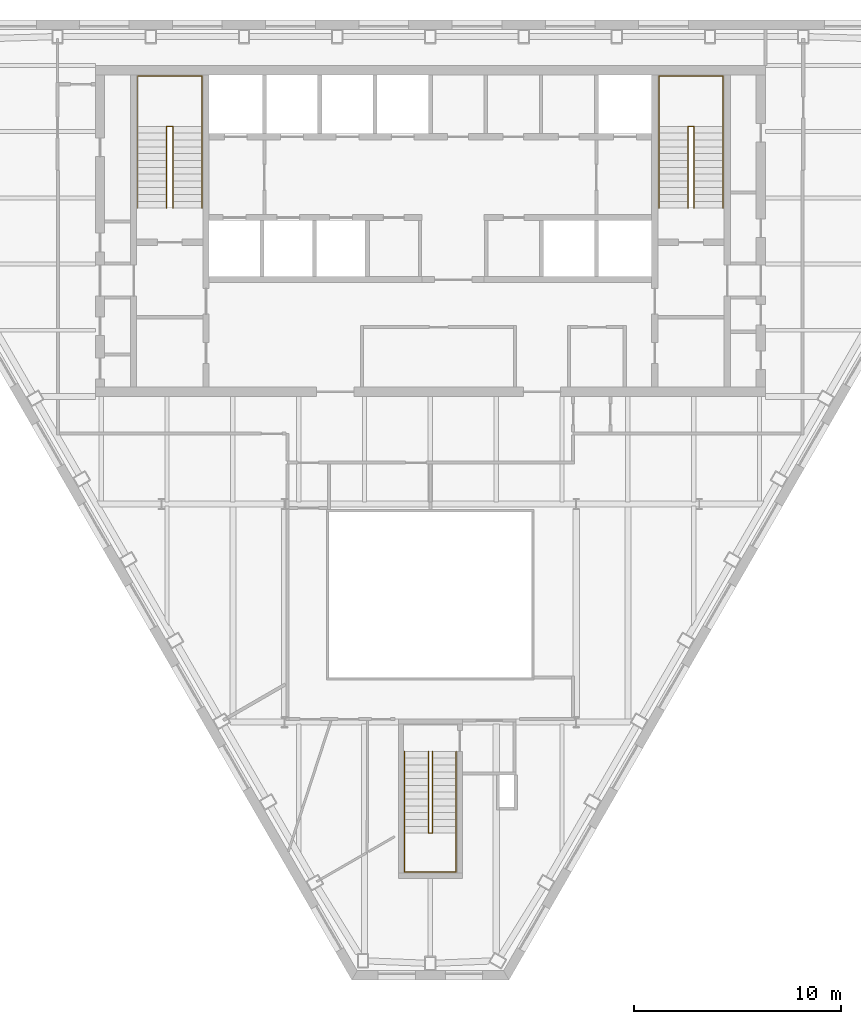
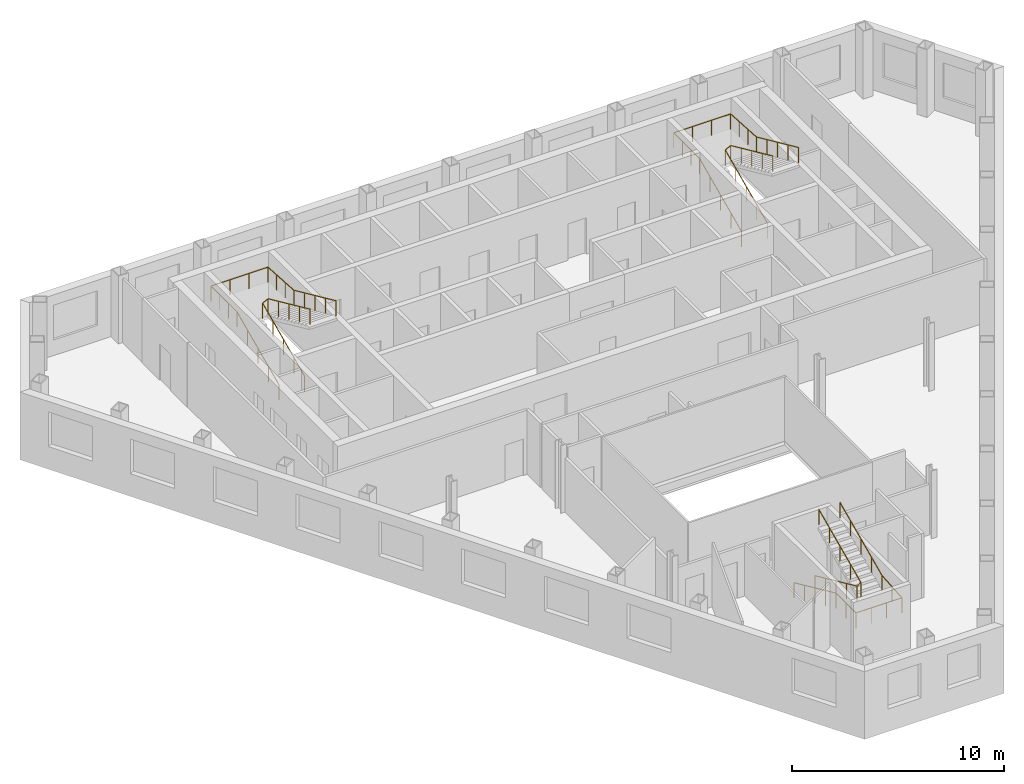
# One storey, part 10 of 10: 6 railings.
"""IFC4 building model written with IfcOpenShell, lengths in metres."""

from ifc_helpers import new_model, si_unit, direction, frame, origin, origin_2d, place, context, subcontext, project, spatial, circle, extrude, material, type_object, element, save


model = new_model("IFC4")

# Units and contexts
model_context = context("Model", 3, precision=1e-05, world=origin(), true_north=direction((0.0, 1.0)))
body_context = subcontext(model_context, "Body", "Model", "MODEL_VIEW")
ifc_project = project(units=[si_unit("LENGTHUNIT", "METRE"), si_unit("AREAUNIT", "SQUARE_METRE"), si_unit("VOLUMEUNIT", "CUBIC_METRE"), si_unit("PLANEANGLEUNIT", "RADIAN"), si_unit("MASSUNIT", "GRAM", prefix="KILO")], contexts=[model_context])

# Site, building, storey
site_placement = place(None, origin())
site = spatial("IfcSite", under=ifc_project, at=site_placement, CompositionType="ELEMENT")
building_placement = place(site_placement, origin())
building = spatial("IfcBuilding", under=site, at=building_placement, Name="Njiva Tower", CompositionType="ELEMENT")
storey_placement = place(building_placement, frame((0.0, 0.0, 196.5)))
storey = spatial("IfcBuildingStorey", under=building, at=storey_placement, Name="L43", CompositionType="ELEMENT", Elevation=196.5)

# Railings
ifc_material = material(Name="Stainless steel", Category="steel")
railing_type = type_object("IfcRailingType", Name="RL1 Stair handrail 900", PredefinedType="HANDRAIL", material=ifc_material)
railing_1_placement = place(storey_placement, frame((-14.15, 11.1, 0.15)))
element("IfcRailing", 1, at=railing_1_placement, inside=storey, type_object=railing_type, Name="Stair A handrail", PredefinedType="HANDRAIL", context=body_context, shape_type="SweptSolid", body=[
    extrude(circle(Radius=0.024, at=origin_2d()), frame((0.0, 0.0, 0.876), z_axis=(0.0, 0.910366477463, 0.413802944301), x_axis=(-1.0, 0.0, 0.0)), (0.0, 0.0, 1.0), 4.3499),
    extrude(circle(Radius=0.024, at=origin_2d()), frame((0.0, 3.96, 2.676), z_axis=(0.0, 1.0, 0.0), x_axis=(-1.0, 0.0, 0.0)), (0.0, 0.0, 1.0), 2.44),
    extrude(circle(Radius=0.024, at=origin_2d()), frame((0.0, 6.4, 2.676), z_axis=(1.0, 0.0, 0.0), x_axis=(0.0, 1.0, 0.0)), (0.0, 0.0, 1.0), 3.1),
    extrude(circle(Radius=0.024, at=origin_2d()), frame((3.1, 6.4, 2.676), z_axis=(0.0, -0.998115726137, 0.061359573328), x_axis=(1.0, 0.0, 0.0)), (0.0, 0.0, 1.0), 2.4446),
    extrude(circle(Radius=0.024, at=origin_2d()), frame((3.1, 3.96, 2.826), z_axis=(0.0, -0.910366477463, 0.413802944301), x_axis=(1.0, 0.0, 0.0)), (0.0, 0.0, 1.0), 4.3499),
    extrude(circle(Radius=0.021, at=origin_2d()), origin(), (0.0, 0.0, 1.0), 0.852),
    extrude(circle(Radius=0.021, at=origin_2d()), frame((0.0, 0.99, 0.45)), (0.0, 0.0, 1.0), 0.852),
    extrude(circle(Radius=0.021, at=origin_2d()), frame((0.0, 1.98, 0.9)), (0.0, 0.0, 1.0), 0.852),
    extrude(circle(Radius=0.021, at=origin_2d()), frame((0.0, 2.97, 1.35)), (0.0, 0.0, 1.0), 0.852),
    extrude(circle(Radius=0.021, at=origin_2d()), frame((0.0, 3.96, 1.8)), (0.0, 0.0, 1.0), 0.852),
    extrude(circle(Radius=0.021, at=origin_2d()), frame((0.0, 4.7733, 1.8)), (0.0, 0.0, 1.0), 0.852),
    extrude(circle(Radius=0.021, at=origin_2d()), frame((0.0, 5.5867, 1.8)), (0.0, 0.0, 1.0), 0.852),
    extrude(circle(Radius=0.021, at=origin_2d()), frame((0.0, 6.4, 1.8)), (0.0, 0.0, 1.0), 0.852),
    extrude(circle(Radius=0.021, at=origin_2d()), frame((1.0333, 6.4, 1.8)), (0.0, 0.0, 1.0), 0.852),
    extrude(circle(Radius=0.021, at=origin_2d()), frame((2.0667, 6.4, 1.8)), (0.0, 0.0, 1.0), 0.852),
    extrude(circle(Radius=0.021, at=origin_2d()), frame((3.1, 6.4, 1.8)), (0.0, 0.0, 1.0), 0.852),
    extrude(circle(Radius=0.021, at=origin_2d()), frame((3.1, 5.5867, 1.85)), (0.0, 0.0, 1.0), 0.852),
    extrude(circle(Radius=0.021, at=origin_2d()), frame((3.1, 4.7733, 1.9)), (0.0, 0.0, 1.0), 0.852),
    extrude(circle(Radius=0.021, at=origin_2d()), frame((3.1, 3.96, 1.95)), (0.0, 0.0, 1.0), 0.852),
    extrude(circle(Radius=0.021, at=origin_2d()), frame((3.1, 2.97, 2.4)), (0.0, 0.0, 1.0), 0.852),
    extrude(circle(Radius=0.021, at=origin_2d()), frame((3.1, 1.98, 2.85)), (0.0, 0.0, 1.0), 0.852),
    extrude(circle(Radius=0.021, at=origin_2d()), frame((3.1, 0.99, 3.3)), (0.0, 0.0, 1.0), 0.852),
    extrude(circle(Radius=0.021, at=origin_2d()), frame((3.1, 0.0, 3.75)), (0.0, 0.0, 1.0), 0.852),
])
railing_2_placement = place(storey_placement, frame((-12.75, 11.1, 0.15)))
element("IfcRailing", 2, at=railing_2_placement, inside=storey, type_object=railing_type, Name="Stair A handrail", PredefinedType="HANDRAIL", context=body_context, shape_type="SweptSolid", body=[
    extrude(circle(Radius=0.024, at=origin_2d()), frame((0.0, 0.0, 0.876), z_axis=(0.0, 0.910366477463, 0.413802944301), x_axis=(-1.0, 0.0, 0.0)), (0.0, 0.0, 1.0), 4.3499),
    extrude(circle(Radius=0.024, at=origin_2d()), frame((0.0, 3.96, 2.676), z_axis=(0.894427191, 0.0, 0.4472135955), x_axis=(0.0, 1.0, 0.0)), (0.0, 0.0, 1.0), 0.3354),
    extrude(circle(Radius=0.024, at=origin_2d()), frame((0.3, 3.96, 2.826), z_axis=(0.0, -0.910366477463, 0.413802944301), x_axis=(1.0, 0.0, 0.0)), (0.0, 0.0, 1.0), 4.3499),
    extrude(circle(Radius=0.021, at=origin_2d()), origin(), (0.0, 0.0, 1.0), 0.852),
    extrude(circle(Radius=0.021, at=origin_2d()), frame((0.0, 0.99, 0.45)), (0.0, 0.0, 1.0), 0.852),
    extrude(circle(Radius=0.021, at=origin_2d()), frame((0.0, 1.98, 0.9)), (0.0, 0.0, 1.0), 0.852),
    extrude(circle(Radius=0.021, at=origin_2d()), frame((0.0, 2.97, 1.35)), (0.0, 0.0, 1.0), 0.852),
    extrude(circle(Radius=0.021, at=origin_2d()), frame((0.0, 3.96, 1.8)), (0.0, 0.0, 1.0), 0.852),
    extrude(circle(Radius=0.021, at=origin_2d()), frame((0.3, 3.96, 1.95)), (0.0, 0.0, 1.0), 0.852),
    extrude(circle(Radius=0.021, at=origin_2d()), frame((0.3, 2.97, 2.4)), (0.0, 0.0, 1.0), 0.852),
    extrude(circle(Radius=0.021, at=origin_2d()), frame((0.3, 1.98, 2.85)), (0.0, 0.0, 1.0), 0.852),
    extrude(circle(Radius=0.021, at=origin_2d()), frame((0.3, 0.99, 3.3)), (0.0, 0.0, 1.0), 0.852),
    extrude(circle(Radius=0.021, at=origin_2d()), frame((0.3, 0.0, 3.75)), (0.0, 0.0, 1.0), 0.852),
])
railing_3_placement = place(storey_placement, frame((11.05, 11.1, 0.15)))
element("IfcRailing", 3, at=railing_3_placement, inside=storey, type_object=railing_type, Name="Stair B handrail", PredefinedType="HANDRAIL", context=body_context, shape_type="SweptSolid", body=[
    extrude(circle(Radius=0.024, at=origin_2d()), frame((0.0, 0.0, 0.876), z_axis=(0.0, 0.910366477463, 0.413802944301), x_axis=(-1.0, 0.0, 0.0)), (0.0, 0.0, 1.0), 4.3499),
    extrude(circle(Radius=0.024, at=origin_2d()), frame((0.0, 3.96, 2.676), z_axis=(0.0, 1.0, 0.0), x_axis=(-1.0, 0.0, 0.0)), (0.0, 0.0, 1.0), 2.44),
    extrude(circle(Radius=0.024, at=origin_2d()), frame((0.0, 6.4, 2.676), z_axis=(1.0, 0.0, 0.0), x_axis=(0.0, 1.0, 0.0)), (0.0, 0.0, 1.0), 3.1),
    extrude(circle(Radius=0.024, at=origin_2d()), frame((3.1, 6.4, 2.676), z_axis=(0.0, -0.998115726137, 0.061359573328), x_axis=(1.0, 0.0, 0.0)), (0.0, 0.0, 1.0), 2.4446),
    extrude(circle(Radius=0.024, at=origin_2d()), frame((3.1, 3.96, 2.826), z_axis=(0.0, -0.910366477463, 0.413802944301), x_axis=(1.0, 0.0, 0.0)), (0.0, 0.0, 1.0), 4.3499),
    extrude(circle(Radius=0.021, at=origin_2d()), origin(), (0.0, 0.0, 1.0), 0.852),
    extrude(circle(Radius=0.021, at=origin_2d()), frame((0.0, 0.99, 0.45)), (0.0, 0.0, 1.0), 0.852),
    extrude(circle(Radius=0.021, at=origin_2d()), frame((0.0, 1.98, 0.9)), (0.0, 0.0, 1.0), 0.852),
    extrude(circle(Radius=0.021, at=origin_2d()), frame((0.0, 2.97, 1.35)), (0.0, 0.0, 1.0), 0.852),
    extrude(circle(Radius=0.021, at=origin_2d()), frame((0.0, 3.96, 1.8)), (0.0, 0.0, 1.0), 0.852),
    extrude(circle(Radius=0.021, at=origin_2d()), frame((0.0, 4.7733, 1.8)), (0.0, 0.0, 1.0), 0.852),
    extrude(circle(Radius=0.021, at=origin_2d()), frame((0.0, 5.5867, 1.8)), (0.0, 0.0, 1.0), 0.852),
    extrude(circle(Radius=0.021, at=origin_2d()), frame((0.0, 6.4, 1.8)), (0.0, 0.0, 1.0), 0.852),
    extrude(circle(Radius=0.021, at=origin_2d()), frame((1.0333, 6.4, 1.8)), (0.0, 0.0, 1.0), 0.852),
    extrude(circle(Radius=0.021, at=origin_2d()), frame((2.0667, 6.4, 1.8)), (0.0, 0.0, 1.0), 0.852),
    extrude(circle(Radius=0.021, at=origin_2d()), frame((3.1, 6.4, 1.8)), (0.0, 0.0, 1.0), 0.852),
    extrude(circle(Radius=0.021, at=origin_2d()), frame((3.1, 5.5867, 1.85)), (0.0, 0.0, 1.0), 0.852),
    extrude(circle(Radius=0.021, at=origin_2d()), frame((3.1, 4.7733, 1.9)), (0.0, 0.0, 1.0), 0.852),
    extrude(circle(Radius=0.021, at=origin_2d()), frame((3.1, 3.96, 1.95)), (0.0, 0.0, 1.0), 0.852),
    extrude(circle(Radius=0.021, at=origin_2d()), frame((3.1, 2.97, 2.4)), (0.0, 0.0, 1.0), 0.852),
    extrude(circle(Radius=0.021, at=origin_2d()), frame((3.1, 1.98, 2.85)), (0.0, 0.0, 1.0), 0.852),
    extrude(circle(Radius=0.021, at=origin_2d()), frame((3.1, 0.99, 3.3)), (0.0, 0.0, 1.0), 0.852),
    extrude(circle(Radius=0.021, at=origin_2d()), frame((3.1, 0.0, 3.75)), (0.0, 0.0, 1.0), 0.852),
])
railing_4_placement = place(storey_placement, frame((12.45, 11.1, 0.15)))
element("IfcRailing", 4, at=railing_4_placement, inside=storey, type_object=railing_type, Name="Stair B handrail", PredefinedType="HANDRAIL", context=body_context, shape_type="SweptSolid", body=[
    extrude(circle(Radius=0.024, at=origin_2d()), frame((0.0, 0.0, 0.876), z_axis=(0.0, 0.910366477463, 0.413802944301), x_axis=(-1.0, 0.0, 0.0)), (0.0, 0.0, 1.0), 4.3499),
    extrude(circle(Radius=0.024, at=origin_2d()), frame((0.0, 3.96, 2.676), z_axis=(0.894427191, 0.0, 0.4472135955), x_axis=(0.0, 1.0, 0.0)), (0.0, 0.0, 1.0), 0.3354),
    extrude(circle(Radius=0.024, at=origin_2d()), frame((0.3, 3.96, 2.826), z_axis=(0.0, -0.910366477463, 0.413802944301), x_axis=(1.0, 0.0, 0.0)), (0.0, 0.0, 1.0), 4.3499),
    extrude(circle(Radius=0.021, at=origin_2d()), origin(), (0.0, 0.0, 1.0), 0.852),
    extrude(circle(Radius=0.021, at=origin_2d()), frame((0.0, 0.99, 0.45)), (0.0, 0.0, 1.0), 0.852),
    extrude(circle(Radius=0.021, at=origin_2d()), frame((0.0, 1.98, 0.9)), (0.0, 0.0, 1.0), 0.852),
    extrude(circle(Radius=0.021, at=origin_2d()), frame((0.0, 2.97, 1.35)), (0.0, 0.0, 1.0), 0.852),
    extrude(circle(Radius=0.021, at=origin_2d()), frame((0.0, 3.96, 1.8)), (0.0, 0.0, 1.0), 0.852),
    extrude(circle(Radius=0.021, at=origin_2d()), frame((0.3, 3.96, 1.95)), (0.0, 0.0, 1.0), 0.852),
    extrude(circle(Radius=0.021, at=origin_2d()), frame((0.3, 2.97, 2.4)), (0.0, 0.0, 1.0), 0.852),
    extrude(circle(Radius=0.021, at=origin_2d()), frame((0.3, 1.98, 2.85)), (0.0, 0.0, 1.0), 0.852),
    extrude(circle(Radius=0.021, at=origin_2d()), frame((0.3, 0.99, 3.3)), (0.0, 0.0, 1.0), 0.852),
    extrude(circle(Radius=0.021, at=origin_2d()), frame((0.3, 0.0, 3.75)), (0.0, 0.0, 1.0), 0.852),
])
railing_5_placement = place(storey_placement, frame((-1.25, -15.16, 0.15)))
element("IfcRailing", 5, at=railing_5_placement, inside=storey, type_object=railing_type, Name="Stair C handrail", PredefinedType="HANDRAIL", context=body_context, shape_type="SweptSolid", body=[
    extrude(circle(Radius=0.024, at=origin_2d()), frame((0.0, 0.0, 0.876), z_axis=(0.0, -0.910366477463, 0.413802944301), x_axis=(1.0, 0.0, 0.0)), (0.0, 0.0, 1.0), 4.3499),
    extrude(circle(Radius=0.024, at=origin_2d()), frame((0.0, -3.96, 2.676), z_axis=(0.0, -1.0, 0.0), x_axis=(1.0, 0.0, 0.0)), (0.0, 0.0, 1.0), 1.88),
    extrude(circle(Radius=0.024, at=origin_2d()), frame((0.0, -5.84, 2.676), z_axis=(1.0, 0.0, 0.0), x_axis=(0.0, 1.0, 0.0)), (0.0, 0.0, 1.0), 2.5),
    extrude(circle(Radius=0.024, at=origin_2d()), frame((2.5, -5.84, 2.676), z_axis=(0.0, 0.996832115713, 0.079534477318), x_axis=(-1.0, 0.0, 0.0)), (0.0, 0.0, 1.0), 1.886),
    extrude(circle(Radius=0.024, at=origin_2d()), frame((2.5, -3.96, 2.826), z_axis=(0.0, 0.910366477463, 0.413802944301), x_axis=(-1.0, 0.0, 0.0)), (0.0, 0.0, 1.0), 4.3499),
    extrude(circle(Radius=0.021, at=origin_2d()), origin(), (0.0, 0.0, 1.0), 0.852),
    extrude(circle(Radius=0.021, at=origin_2d()), frame((0.0, -0.99, 0.45)), (0.0, 0.0, 1.0), 0.852),
    extrude(circle(Radius=0.021, at=origin_2d()), frame((0.0, -1.98, 0.9)), (0.0, 0.0, 1.0), 0.852),
    extrude(circle(Radius=0.021, at=origin_2d()), frame((0.0, -2.97, 1.35)), (0.0, 0.0, 1.0), 0.852),
    extrude(circle(Radius=0.021, at=origin_2d()), frame((0.0, -3.96, 1.8)), (0.0, 0.0, 1.0), 0.852),
    extrude(circle(Radius=0.021, at=origin_2d()), frame((0.0, -4.9, 1.8)), (0.0, 0.0, 1.0), 0.852),
    extrude(circle(Radius=0.021, at=origin_2d()), frame((0.0, -5.84, 1.8)), (0.0, 0.0, 1.0), 0.852),
    extrude(circle(Radius=0.021, at=origin_2d()), frame((0.8333, -5.84, 1.8)), (0.0, 0.0, 1.0), 0.852),
    extrude(circle(Radius=0.021, at=origin_2d()), frame((1.6667, -5.84, 1.8)), (0.0, 0.0, 1.0), 0.852),
    extrude(circle(Radius=0.021, at=origin_2d()), frame((2.5, -5.84, 1.8)), (0.0, 0.0, 1.0), 0.852),
    extrude(circle(Radius=0.021, at=origin_2d()), frame((2.5, -4.9, 1.875)), (0.0, 0.0, 1.0), 0.852),
    extrude(circle(Radius=0.021, at=origin_2d()), frame((2.5, -3.96, 1.95)), (0.0, 0.0, 1.0), 0.852),
    extrude(circle(Radius=0.021, at=origin_2d()), frame((2.5, -2.97, 2.4)), (0.0, 0.0, 1.0), 0.852),
    extrude(circle(Radius=0.021, at=origin_2d()), frame((2.5, -1.98, 2.85)), (0.0, 0.0, 1.0), 0.852),
    extrude(circle(Radius=0.021, at=origin_2d()), frame((2.5, -0.99, 3.3)), (0.0, 0.0, 1.0), 0.852),
    extrude(circle(Radius=0.021, at=origin_2d()), frame((2.5, 0.0, 3.75)), (0.0, 0.0, 1.0), 0.852),
])
railing_6_placement = place(storey_placement, frame((-0.1, -15.16, 0.15)))
element("IfcRailing", 6, at=railing_6_placement, inside=storey, type_object=railing_type, Name="Stair C handrail", PredefinedType="HANDRAIL", context=body_context, shape_type="SweptSolid", body=[
    extrude(circle(Radius=0.024, at=origin_2d()), frame((0.0, 0.0, 0.876), z_axis=(0.0, -0.910366477463, 0.413802944301), x_axis=(1.0, 0.0, 0.0)), (0.0, 0.0, 1.0), 4.3499),
    extrude(circle(Radius=0.024, at=origin_2d()), frame((0.0, -3.96, 2.676), z_axis=(0.8, 0.0, 0.6), x_axis=(0.0, 1.0, 0.0)), (0.0, 0.0, 1.0), 0.25),
    extrude(circle(Radius=0.024, at=origin_2d()), frame((0.2, -3.96, 2.826), z_axis=(0.0, 0.910366477463, 0.413802944301), x_axis=(-1.0, 0.0, 0.0)), (0.0, 0.0, 1.0), 4.3499),
    extrude(circle(Radius=0.021, at=origin_2d()), origin(), (0.0, 0.0, 1.0), 0.852),
    extrude(circle(Radius=0.021, at=origin_2d()), frame((0.0, -0.99, 0.45)), (0.0, 0.0, 1.0), 0.852),
    extrude(circle(Radius=0.021, at=origin_2d()), frame((0.0, -1.98, 0.9)), (0.0, 0.0, 1.0), 0.852),
    extrude(circle(Radius=0.021, at=origin_2d()), frame((0.0, -2.97, 1.35)), (0.0, 0.0, 1.0), 0.852),
    extrude(circle(Radius=0.021, at=origin_2d()), frame((0.0, -3.96, 1.8)), (0.0, 0.0, 1.0), 0.852),
    extrude(circle(Radius=0.021, at=origin_2d()), frame((0.2, -3.96, 1.95)), (0.0, 0.0, 1.0), 0.852),
    extrude(circle(Radius=0.021, at=origin_2d()), frame((0.2, -2.97, 2.4)), (0.0, 0.0, 1.0), 0.852),
    extrude(circle(Radius=0.021, at=origin_2d()), frame((0.2, -1.98, 2.85)), (0.0, 0.0, 1.0), 0.852),
    extrude(circle(Radius=0.021, at=origin_2d()), frame((0.2, -0.99, 3.3)), (0.0, 0.0, 1.0), 0.852),
    extrude(circle(Radius=0.021, at=origin_2d()), frame((0.2, 0.0, 3.75)), (0.0, 0.0, 1.0), 0.852),
])

save(model, "model.ifc")
